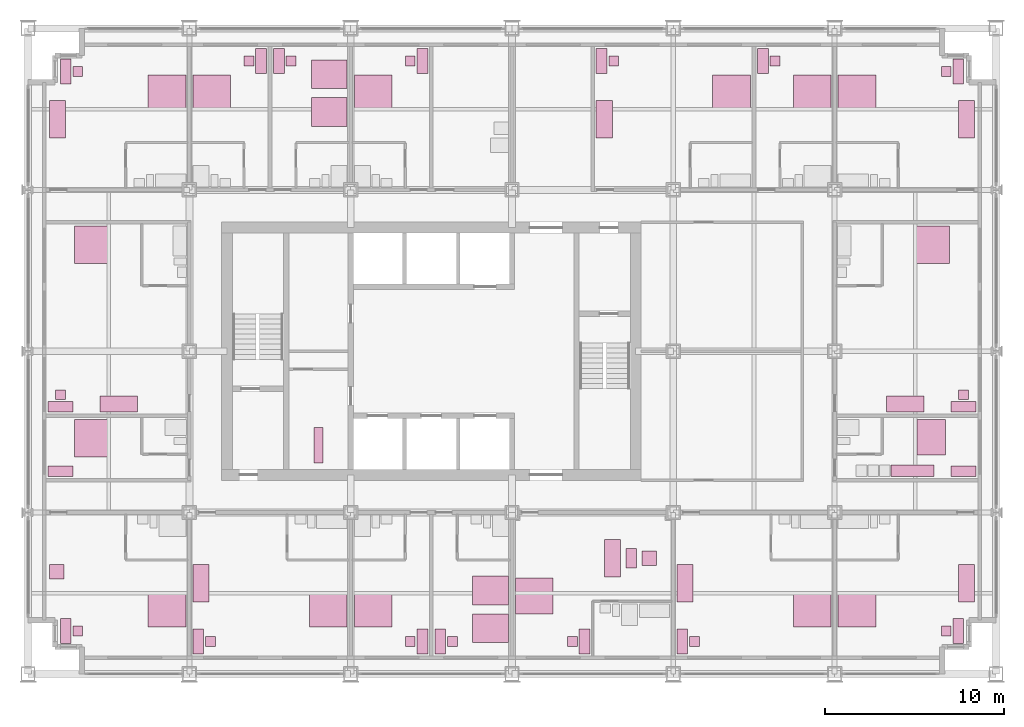
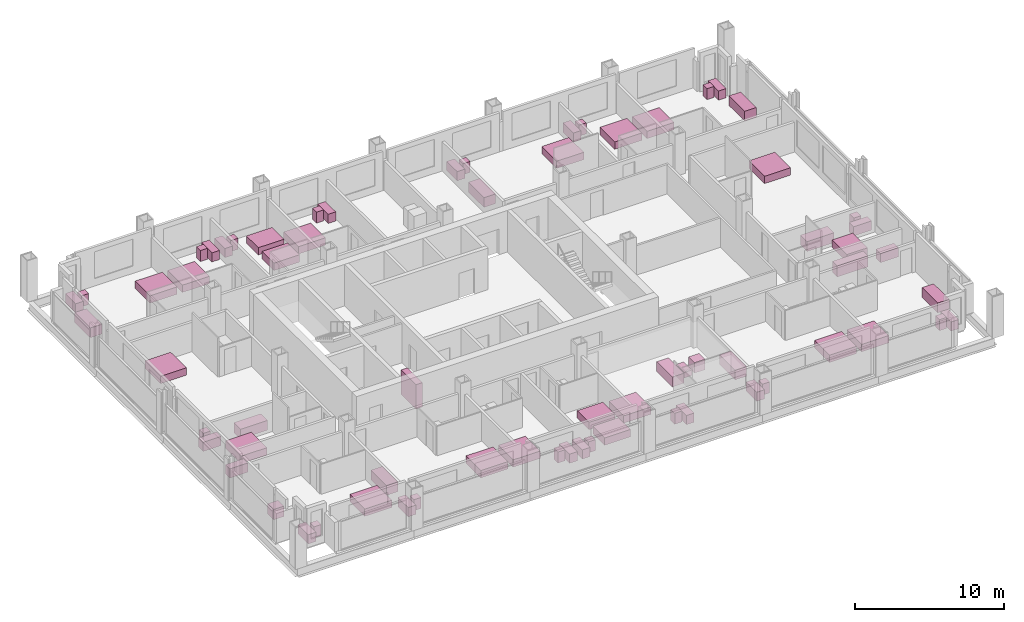
# One storey, part 18 of 18: 68 furniture elements.
"""IFC4 building model written with IfcOpenShell, lengths in metres."""

from ifc_helpers import new_model, si_unit, direction, frame, origin, origin_2d, place, context, subcontext, project, spatial, rectangle, extrude, element, save


model = new_model("IFC4")

# Units and contexts
model_context = context("Model", 3, precision=1e-05, world=origin(), true_north=direction((0.0, 1.0)))
body_context = subcontext(model_context, "Body", "Model", "MODEL_VIEW")
ifc_project = project(units=[si_unit("LENGTHUNIT", "METRE"), si_unit("AREAUNIT", "SQUARE_METRE"), si_unit("VOLUMEUNIT", "CUBIC_METRE"), si_unit("PLANEANGLEUNIT", "RADIAN"), si_unit("MASSUNIT", "GRAM", prefix="KILO")], contexts=[model_context])

# Site, building, storey
site_placement = place(None, origin())
site = spatial("IfcSite", under=ifc_project, at=site_placement, CompositionType="ELEMENT")
building_placement = place(site_placement, origin())
building = spatial("IfcBuilding", under=site, at=building_placement, Name="Loomwork Tower", CompositionType="ELEMENT")
storey_placement = place(building_placement, frame((0.0, 0.0, 62.0)))
storey = spatial("IfcBuildingStorey", under=building, at=storey_placement, Name="L15", CompositionType="ELEMENT", Elevation=62.0)

# Furniture
furniture_1_placement = place(storey_placement, frame((7.75, 3.60009765625, 0.0), z_axis=(0.0, 0.0, 1.0), x_axis=(1.0, 0.0, 0.0)))
element("IfcFurniture", 1, at=furniture_1_placement, inside=storey, Name="King bed L15", PredefinedType="BED", context=body_context, shape_type="SweptSolid", body=[
    extrude(rectangle(XDim=2.10009765625, YDim=2.0, at=origin_2d()), origin(), (0.0, 0.0, 1.0), 0.60009765625),
])
furniture_2_placement = place(storey_placement, frame((2.10009765625, 2.39990234375, 0.0), z_axis=(0.0, 0.0, 1.0), x_axis=(1.0, 0.0, 0.0)))
element("IfcFurniture", 2, at=furniture_2_placement, inside=storey, Name="Writing desk L15", PredefinedType="DESK", context=body_context, shape_type="SweptSolid", body=[
    extrude(rectangle(XDim=0.60009765625, YDim=1.39990234375, at=origin_2d()), origin(), (0.0, 0.0, 1.0), 0.75),
])
furniture_3_placement = place(storey_placement, frame((2.77490234375, 2.39990234375, 0.0), z_axis=(0.0, 0.0, 1.0), x_axis=(1.0, 0.0, 0.0)))
element("IfcFurniture", 3, at=furniture_3_placement, inside=storey, Name="Desk chair L15", PredefinedType="CHAIR", context=body_context, shape_type="SweptSolid", body=[
    extrude(rectangle(XDim=0.550048828125, YDim=0.550048828125, at=origin_2d()), origin(), (0.0, 0.0, 1.0), 0.89990234375),
])
furniture_4_placement = place(storey_placement, frame((1.60009765625, 5.699951171875, 0.0), z_axis=(0.0, 0.0, 1.0), x_axis=(1.0, 0.0, 0.0)))
element("IfcFurniture", 4, at=furniture_4_placement, inside=storey, Name="Lounge armchair L15", PredefinedType="CHAIR", context=body_context, shape_type="SweptSolid", body=[
    extrude(rectangle(XDim=0.800048828125, YDim=0.800048828125, at=origin_2d()), origin(), (0.0, 0.0, 1.0), 0.85009765625),
])
furniture_5_placement = place(storey_placement, frame((16.75, 3.60009765625, 0.0), z_axis=(0.0, 0.0, 1.0), x_axis=(1.0, 0.0, 0.0)))
element("IfcFurniture", 5, at=furniture_5_placement, inside=storey, Name="King bed L15", PredefinedType="BED", context=body_context, shape_type="SweptSolid", body=[
    extrude(rectangle(XDim=2.10009765625, YDim=2.0, at=origin_2d()), origin(), (0.0, 0.0, 1.0), 0.60009765625),
])
furniture_6_placement = place(storey_placement, frame((9.5, 1.800048828125, 0.0), z_axis=(0.0, 0.0, 1.0), x_axis=(1.0, 0.0, 0.0)))
element("IfcFurniture", 6, at=furniture_6_placement, inside=storey, Name="Writing desk L15", PredefinedType="DESK", context=body_context, shape_type="SweptSolid", body=[
    extrude(rectangle(XDim=0.60009765625, YDim=1.39990234375, at=origin_2d()), origin(), (0.0, 0.0, 1.0), 0.75),
])
furniture_7_placement = place(storey_placement, frame((10.175048828125, 1.800048828125, 0.0), z_axis=(0.0, 0.0, 1.0), x_axis=(1.0, 0.0, 0.0)))
element("IfcFurniture", 7, at=furniture_7_placement, inside=storey, Name="Desk chair L15", PredefinedType="CHAIR", context=body_context, shape_type="SweptSolid", body=[
    extrude(rectangle(XDim=0.550048828125, YDim=0.550048828125, at=origin_2d()), origin(), (0.0, 0.0, 1.0), 0.89990234375),
])
furniture_8_placement = place(storey_placement, frame((9.64990234375, 5.050048828125, 0.0), z_axis=(0.0, 0.0, 1.0), x_axis=(1.0, 0.0, 0.0)))
element("IfcFurniture", 8, at=furniture_8_placement, inside=storey, Name="Sofa L15", PredefinedType="SOFA", context=body_context, shape_type="SweptSolid", body=[
    extrude(rectangle(XDim=0.89990234375, YDim=2.10009765625, at=origin_2d()), origin(), (0.0, 0.0, 1.0), 0.800048828125),
])
furniture_9_placement = place(storey_placement, frame((19.25, 3.60009765625, 0.0), z_axis=(0.0, 0.0, 1.0), x_axis=(1.0, 0.0, 0.0)))
element("IfcFurniture", 9, at=furniture_9_placement, inside=storey, Name="King bed L15", PredefinedType="BED", context=body_context, shape_type="SweptSolid", body=[
    extrude(rectangle(XDim=2.10009765625, YDim=2.0, at=origin_2d()), origin(), (0.0, 0.0, 1.0), 0.60009765625),
])
furniture_10_placement = place(storey_placement, frame((22.0, 1.800048828125, 0.0), z_axis=(0.0, 0.0, 1.0), x_axis=(1.0, 0.0, 0.0)))
element("IfcFurniture", 10, at=furniture_10_placement, inside=storey, Name="Writing desk L15", PredefinedType="DESK", context=body_context, shape_type="SweptSolid", body=[
    extrude(rectangle(XDim=0.60009765625, YDim=1.39990234375, at=origin_2d()), origin(), (0.0, 0.0, 1.0), 0.75),
])
furniture_11_placement = place(storey_placement, frame((21.324951171875, 1.800048828125, 0.0), z_axis=(0.0, 0.0, 1.0), x_axis=(1.0, 0.0, 0.0)))
element("IfcFurniture", 11, at=furniture_11_placement, inside=storey, Name="Desk chair L15", PredefinedType="CHAIR", context=body_context, shape_type="SweptSolid", body=[
    extrude(rectangle(XDim=0.550048828125, YDim=0.550048828125, at=origin_2d()), origin(), (0.0, 0.0, 1.0), 0.89990234375),
])
for number, where, z_axis, x_axis, name in (
    (12, (25.800048828125, 4.64990234375, 0.0), (0.0, 0.0, 1.0), (1.0, 0.0, 0.0), "Queen bed L15"),
    (13, (25.800048828125, 2.550048828125, 0.0), (0.0, 0.0, 1.0), (1.0, 0.0, 0.0), "Queen bed L15"),
):
    element("IfcFurniture", number, at=place(storey_placement, frame(where, z_axis=z_axis, x_axis=x_axis)), inside=storey, Name=name, PredefinedType="BED", context=body_context, shape_type="SweptSolid", body=[
        extrude(rectangle(XDim=2.0, YDim=1.60009765625, at=origin_2d()), origin(), (0.0, 0.0, 1.0), 0.60009765625),
    ])
furniture_12_placement = place(storey_placement, frame((23.0, 1.800048828125, 0.0), z_axis=(0.0, 0.0, 1.0), x_axis=(1.0, 0.0, 0.0)))
element("IfcFurniture", 14, at=furniture_12_placement, inside=storey, Name="Writing desk L15", PredefinedType="DESK", context=body_context, shape_type="SweptSolid", body=[
    extrude(rectangle(XDim=0.60009765625, YDim=1.39990234375, at=origin_2d()), origin(), (0.0, 0.0, 1.0), 0.75),
])
furniture_13_placement = place(storey_placement, frame((23.675048828125, 1.800048828125, 0.0), z_axis=(0.0, 0.0, 1.0), x_axis=(1.0, 0.0, 0.0)))
element("IfcFurniture", 15, at=furniture_13_placement, inside=storey, Name="Desk chair L15", PredefinedType="CHAIR", context=body_context, shape_type="SweptSolid", body=[
    extrude(rectangle(XDim=0.550048828125, YDim=0.550048828125, at=origin_2d()), origin(), (0.0, 0.0, 1.0), 0.89990234375),
])
furniture_14_placement = place(storey_placement, frame((28.25, 4.35009765625, 0.0), z_axis=(0.0, 0.0, 1.0), x_axis=(1.0, 0.0, 0.0)))
element("IfcFurniture", 16, at=furniture_14_placement, inside=storey, Name="King bed L15", PredefinedType="BED", context=body_context, shape_type="SweptSolid", body=[
    extrude(rectangle(XDim=2.10009765625, YDim=2.0, at=origin_2d()), origin(), (0.0, 0.0, 1.0), 0.60009765625),
])
furniture_15_placement = place(storey_placement, frame((31.050048828125, 1.800048828125, 0.0), z_axis=(0.0, 0.0, 1.0), x_axis=(1.0, 0.0, 0.0)))
element("IfcFurniture", 17, at=furniture_15_placement, inside=storey, Name="Writing desk L15", PredefinedType="DESK", context=body_context, shape_type="SweptSolid", body=[
    extrude(rectangle(XDim=0.60009765625, YDim=1.39990234375, at=origin_2d()), origin(), (0.0, 0.0, 1.0), 0.75),
])
furniture_16_placement = place(storey_placement, frame((30.375, 1.800048828125, 0.0), z_axis=(0.0, 0.0, 1.0), x_axis=(1.0, 0.0, 0.0)))
element("IfcFurniture", 18, at=furniture_16_placement, inside=storey, Name="Desk chair L15", PredefinedType="CHAIR", context=body_context, shape_type="SweptSolid", body=[
    extrude(rectangle(XDim=0.550048828125, YDim=0.550048828125, at=origin_2d()), origin(), (0.0, 0.0, 1.0), 0.89990234375),
])
furniture_17_placement = place(storey_placement, frame((32.60009765625, 6.449951171875, 0.0), z_axis=(0.0, 0.0, 1.0), x_axis=(1.0, 0.0, 0.0)))
element("IfcFurniture", 19, at=furniture_17_placement, inside=storey, Name="Sofa L15", PredefinedType="SOFA", context=body_context, shape_type="SweptSolid", body=[
    extrude(rectangle(XDim=0.89990234375, YDim=2.10009765625, at=origin_2d()), origin(), (0.0, 0.0, 1.0), 0.800048828125),
])
furniture_18_placement = place(storey_placement, frame((33.64990234375, 6.449951171875, 0.0), z_axis=(0.0, 0.0, 1.0), x_axis=(1.0, 0.0, 0.0)))
element("IfcFurniture", 20, at=furniture_18_placement, inside=storey, Name="Coffee table L15", PredefinedType="TABLE", context=body_context, shape_type="SweptSolid", body=[
    extrude(rectangle(XDim=0.60009765625, YDim=1.10009765625, at=origin_2d()), origin(), (0.0, 0.0, 1.0), 0.449951171875),
])
furniture_19_placement = place(storey_placement, frame((34.64990234375, 6.449951171875, 0.0), z_axis=(0.0, 0.0, 1.0), x_axis=(1.0, 0.0, 0.0)))
element("IfcFurniture", 21, at=furniture_19_placement, inside=storey, Name="Lounge armchair L15", PredefinedType="CHAIR", context=body_context, shape_type="SweptSolid", body=[
    extrude(rectangle(XDim=0.800048828125, YDim=0.800048828125, at=origin_2d()), origin(), (0.0, 0.0, 1.0), 0.85009765625),
])
furniture_20_placement = place(storey_placement, frame((43.75, 3.60009765625, 0.0), z_axis=(0.0, 0.0, 1.0), x_axis=(1.0, 0.0, 0.0)))
element("IfcFurniture", 22, at=furniture_20_placement, inside=storey, Name="King bed L15", PredefinedType="BED", context=body_context, shape_type="SweptSolid", body=[
    extrude(rectangle(XDim=2.10009765625, YDim=2.0, at=origin_2d()), origin(), (0.0, 0.0, 1.0), 0.60009765625),
])
furniture_21_placement = place(storey_placement, frame((36.5, 1.800048828125, 0.0), z_axis=(0.0, 0.0, 1.0), x_axis=(1.0, 0.0, 0.0)))
element("IfcFurniture", 23, at=furniture_21_placement, inside=storey, Name="Writing desk L15", PredefinedType="DESK", context=body_context, shape_type="SweptSolid", body=[
    extrude(rectangle(XDim=0.60009765625, YDim=1.39990234375, at=origin_2d()), origin(), (0.0, 0.0, 1.0), 0.75),
])
furniture_22_placement = place(storey_placement, frame((37.175048828125, 1.800048828125, 0.0), z_axis=(0.0, 0.0, 1.0), x_axis=(1.0, 0.0, 0.0)))
element("IfcFurniture", 24, at=furniture_22_placement, inside=storey, Name="Desk chair L15", PredefinedType="CHAIR", context=body_context, shape_type="SweptSolid", body=[
    extrude(rectangle(XDim=0.550048828125, YDim=0.550048828125, at=origin_2d()), origin(), (0.0, 0.0, 1.0), 0.89990234375),
])
furniture_23_placement = place(storey_placement, frame((36.64990234375, 5.050048828125, 0.0), z_axis=(0.0, 0.0, 1.0), x_axis=(1.0, 0.0, 0.0)))
element("IfcFurniture", 25, at=furniture_23_placement, inside=storey, Name="Sofa L15", PredefinedType="SOFA", context=body_context, shape_type="SweptSolid", body=[
    extrude(rectangle(XDim=0.89990234375, YDim=2.10009765625, at=origin_2d()), origin(), (0.0, 0.0, 1.0), 0.800048828125),
])
furniture_24_placement = place(storey_placement, frame((46.25, 3.60009765625, 0.0), z_axis=(0.0, 0.0, 1.0), x_axis=(1.0, 0.0, 0.0)))
element("IfcFurniture", 26, at=furniture_24_placement, inside=storey, Name="King bed L15", PredefinedType="BED", context=body_context, shape_type="SweptSolid", body=[
    extrude(rectangle(XDim=2.10009765625, YDim=2.0, at=origin_2d()), origin(), (0.0, 0.0, 1.0), 0.60009765625),
])
furniture_25_placement = place(storey_placement, frame((51.89990234375, 2.39990234375, 0.0), z_axis=(0.0, 0.0, 1.0), x_axis=(1.0, 0.0, 0.0)))
element("IfcFurniture", 27, at=furniture_25_placement, inside=storey, Name="Writing desk L15", PredefinedType="DESK", context=body_context, shape_type="SweptSolid", body=[
    extrude(rectangle(XDim=0.60009765625, YDim=1.39990234375, at=origin_2d()), origin(), (0.0, 0.0, 1.0), 0.75),
])
furniture_26_placement = place(storey_placement, frame((51.22509765625, 2.39990234375, 0.0), z_axis=(0.0, 0.0, 1.0), x_axis=(1.0, 0.0, 0.0)))
element("IfcFurniture", 28, at=furniture_26_placement, inside=storey, Name="Desk chair L15", PredefinedType="CHAIR", context=body_context, shape_type="SweptSolid", body=[
    extrude(rectangle(XDim=0.550048828125, YDim=0.550048828125, at=origin_2d()), origin(), (0.0, 0.0, 1.0), 0.89990234375),
])
furniture_27_placement = place(storey_placement, frame((52.35009765625, 5.050048828125, 0.0), z_axis=(0.0, 0.0, 1.0), x_axis=(1.0, 0.0, 0.0)))
element("IfcFurniture", 29, at=furniture_27_placement, inside=storey, Name="Sofa L15", PredefinedType="SOFA", context=body_context, shape_type="SweptSolid", body=[
    extrude(rectangle(XDim=0.89990234375, YDim=2.10009765625, at=origin_2d()), origin(), (0.0, 0.0, 1.0), 0.800048828125),
])
furniture_28_placement = place(storey_placement, frame((7.75, 32.39990234375, 0.0), z_axis=(0.0, 0.0, 1.0), x_axis=(1.0, 0.0, 0.0)))
element("IfcFurniture", 30, at=furniture_28_placement, inside=storey, Name="King bed L15", PredefinedType="BED", context=body_context, shape_type="SweptSolid", body=[
    extrude(rectangle(XDim=2.10009765625, YDim=2.0, at=origin_2d()), origin(), (0.0, 0.0, 1.0), 0.60009765625),
])
furniture_29_placement = place(storey_placement, frame((2.10009765625, 33.60009765625, 0.0), z_axis=(0.0, 0.0, 1.0), x_axis=(1.0, 0.0, 0.0)))
element("IfcFurniture", 31, at=furniture_29_placement, inside=storey, Name="Writing desk L15", PredefinedType="DESK", context=body_context, shape_type="SweptSolid", body=[
    extrude(rectangle(XDim=0.60009765625, YDim=1.39990234375, at=origin_2d()), origin(), (0.0, 0.0, 1.0), 0.75),
])
furniture_30_placement = place(storey_placement, frame((2.77490234375, 33.60009765625, 0.0), z_axis=(0.0, 0.0, 1.0), x_axis=(1.0, 0.0, 0.0)))
element("IfcFurniture", 32, at=furniture_30_placement, inside=storey, Name="Desk chair L15", PredefinedType="CHAIR", context=body_context, shape_type="SweptSolid", body=[
    extrude(rectangle(XDim=0.550048828125, YDim=0.550048828125, at=origin_2d()), origin(), (0.0, 0.0, 1.0), 0.89990234375),
])
furniture_31_placement = place(storey_placement, frame((1.64990234375, 30.949951171875, 0.0), z_axis=(0.0, 0.0, 1.0), x_axis=(1.0, 0.0, 0.0)))
element("IfcFurniture", 33, at=furniture_31_placement, inside=storey, Name="Sofa L15", PredefinedType="SOFA", context=body_context, shape_type="SweptSolid", body=[
    extrude(rectangle(XDim=0.89990234375, YDim=2.10009765625, at=origin_2d()), origin(), (0.0, 0.0, 1.0), 0.800048828125),
])
furniture_32_placement = place(storey_placement, frame((10.25, 32.39990234375, 0.0), z_axis=(0.0, 0.0, 1.0), x_axis=(1.0, 0.0, 0.0)))
element("IfcFurniture", 34, at=furniture_32_placement, inside=storey, Name="King bed L15", PredefinedType="BED", context=body_context, shape_type="SweptSolid", body=[
    extrude(rectangle(XDim=2.10009765625, YDim=2.0, at=origin_2d()), origin(), (0.0, 0.0, 1.0), 0.60009765625),
])
furniture_33_placement = place(storey_placement, frame((13.0, 34.199951171875, 0.0), z_axis=(0.0, 0.0, 1.0), x_axis=(1.0, 0.0, 0.0)))
element("IfcFurniture", 35, at=furniture_33_placement, inside=storey, Name="Writing desk L15", PredefinedType="DESK", context=body_context, shape_type="SweptSolid", body=[
    extrude(rectangle(XDim=0.60009765625, YDim=1.39990234375, at=origin_2d()), origin(), (0.0, 0.0, 1.0), 0.75),
])
furniture_34_placement = place(storey_placement, frame((12.324951171875, 34.199951171875, 0.0), z_axis=(0.0, 0.0, 1.0), x_axis=(1.0, 0.0, 0.0)))
element("IfcFurniture", 36, at=furniture_34_placement, inside=storey, Name="Desk chair L15", PredefinedType="CHAIR", context=body_context, shape_type="SweptSolid", body=[
    extrude(rectangle(XDim=0.550048828125, YDim=0.550048828125, at=origin_2d()), origin(), (0.0, 0.0, 1.0), 0.89990234375),
])
for number, where, z_axis, x_axis, name in (
    (37, (16.800048828125, 31.35009765625, 0.0), (0.0, 0.0, 1.0), (1.0, 0.0, 0.0), "Queen bed L15"),
    (38, (16.800048828125, 33.449951171875, 0.0), (0.0, 0.0, 1.0), (1.0, 0.0, 0.0), "Queen bed L15"),
):
    element("IfcFurniture", number, at=place(storey_placement, frame(where, z_axis=z_axis, x_axis=x_axis)), inside=storey, Name=name, PredefinedType="BED", context=body_context, shape_type="SweptSolid", body=[
        extrude(rectangle(XDim=2.0, YDim=1.60009765625, at=origin_2d()), origin(), (0.0, 0.0, 1.0), 0.60009765625),
    ])
furniture_35_placement = place(storey_placement, frame((14.0, 34.199951171875, 0.0), z_axis=(0.0, 0.0, 1.0), x_axis=(1.0, 0.0, 0.0)))
element("IfcFurniture", 39, at=furniture_35_placement, inside=storey, Name="Writing desk L15", PredefinedType="DESK", context=body_context, shape_type="SweptSolid", body=[
    extrude(rectangle(XDim=0.60009765625, YDim=1.39990234375, at=origin_2d()), origin(), (0.0, 0.0, 1.0), 0.75),
])
furniture_36_placement = place(storey_placement, frame((14.675048828125, 34.199951171875, 0.0), z_axis=(0.0, 0.0, 1.0), x_axis=(1.0, 0.0, 0.0)))
element("IfcFurniture", 40, at=furniture_36_placement, inside=storey, Name="Desk chair L15", PredefinedType="CHAIR", context=body_context, shape_type="SweptSolid", body=[
    extrude(rectangle(XDim=0.550048828125, YDim=0.550048828125, at=origin_2d()), origin(), (0.0, 0.0, 1.0), 0.89990234375),
])
furniture_37_placement = place(storey_placement, frame((19.25, 32.39990234375, 0.0), z_axis=(0.0, 0.0, 1.0), x_axis=(1.0, 0.0, 0.0)))
element("IfcFurniture", 41, at=furniture_37_placement, inside=storey, Name="King bed L15", PredefinedType="BED", context=body_context, shape_type="SweptSolid", body=[
    extrude(rectangle(XDim=2.10009765625, YDim=2.0, at=origin_2d()), origin(), (0.0, 0.0, 1.0), 0.60009765625),
])
furniture_38_placement = place(storey_placement, frame((22.0, 34.199951171875, 0.0), z_axis=(0.0, 0.0, 1.0), x_axis=(1.0, 0.0, 0.0)))
element("IfcFurniture", 42, at=furniture_38_placement, inside=storey, Name="Writing desk L15", PredefinedType="DESK", context=body_context, shape_type="SweptSolid", body=[
    extrude(rectangle(XDim=0.60009765625, YDim=1.39990234375, at=origin_2d()), origin(), (0.0, 0.0, 1.0), 0.75),
])
furniture_39_placement = place(storey_placement, frame((21.324951171875, 34.199951171875, 0.0), z_axis=(0.0, 0.0, 1.0), x_axis=(1.0, 0.0, 0.0)))
element("IfcFurniture", 43, at=furniture_39_placement, inside=storey, Name="Desk chair L15", PredefinedType="CHAIR", context=body_context, shape_type="SweptSolid", body=[
    extrude(rectangle(XDim=0.550048828125, YDim=0.550048828125, at=origin_2d()), origin(), (0.0, 0.0, 1.0), 0.89990234375),
])
furniture_40_placement = place(storey_placement, frame((39.25, 32.39990234375, 0.0), z_axis=(0.0, 0.0, 1.0), x_axis=(1.0, 0.0, 0.0)))
element("IfcFurniture", 44, at=furniture_40_placement, inside=storey, Name="King bed L15", PredefinedType="BED", context=body_context, shape_type="SweptSolid", body=[
    extrude(rectangle(XDim=2.10009765625, YDim=2.0, at=origin_2d()), origin(), (0.0, 0.0, 1.0), 0.60009765625),
])
furniture_41_placement = place(storey_placement, frame((32.0, 34.199951171875, 0.0), z_axis=(0.0, 0.0, 1.0), x_axis=(1.0, 0.0, 0.0)))
element("IfcFurniture", 45, at=furniture_41_placement, inside=storey, Name="Writing desk L15", PredefinedType="DESK", context=body_context, shape_type="SweptSolid", body=[
    extrude(rectangle(XDim=0.60009765625, YDim=1.39990234375, at=origin_2d()), origin(), (0.0, 0.0, 1.0), 0.75),
])
furniture_42_placement = place(storey_placement, frame((32.675048828125, 34.199951171875, 0.0), z_axis=(0.0, 0.0, 1.0), x_axis=(1.0, 0.0, 0.0)))
element("IfcFurniture", 46, at=furniture_42_placement, inside=storey, Name="Desk chair L15", PredefinedType="CHAIR", context=body_context, shape_type="SweptSolid", body=[
    extrude(rectangle(XDim=0.550048828125, YDim=0.550048828125, at=origin_2d()), origin(), (0.0, 0.0, 1.0), 0.89990234375),
])
furniture_43_placement = place(storey_placement, frame((32.14990234375, 30.949951171875, 0.0), z_axis=(0.0, 0.0, 1.0), x_axis=(1.0, 0.0, 0.0)))
element("IfcFurniture", 47, at=furniture_43_placement, inside=storey, Name="Sofa L15", PredefinedType="SOFA", context=body_context, shape_type="SweptSolid", body=[
    extrude(rectangle(XDim=0.89990234375, YDim=2.10009765625, at=origin_2d()), origin(), (0.0, 0.0, 1.0), 0.800048828125),
])
furniture_44_placement = place(storey_placement, frame((43.75, 32.39990234375, 0.0), z_axis=(0.0, 0.0, 1.0), x_axis=(1.0, 0.0, 0.0)))
element("IfcFurniture", 48, at=furniture_44_placement, inside=storey, Name="King bed L15", PredefinedType="BED", context=body_context, shape_type="SweptSolid", body=[
    extrude(rectangle(XDim=2.10009765625, YDim=2.0, at=origin_2d()), origin(), (0.0, 0.0, 1.0), 0.60009765625),
])
furniture_45_placement = place(storey_placement, frame((41.0, 34.199951171875, 0.0), z_axis=(0.0, 0.0, 1.0), x_axis=(1.0, 0.0, 0.0)))
element("IfcFurniture", 49, at=furniture_45_placement, inside=storey, Name="Writing desk L15", PredefinedType="DESK", context=body_context, shape_type="SweptSolid", body=[
    extrude(rectangle(XDim=0.60009765625, YDim=1.39990234375, at=origin_2d()), origin(), (0.0, 0.0, 1.0), 0.75),
])
furniture_46_placement = place(storey_placement, frame((41.675048828125, 34.199951171875, 0.0), z_axis=(0.0, 0.0, 1.0), x_axis=(1.0, 0.0, 0.0)))
element("IfcFurniture", 50, at=furniture_46_placement, inside=storey, Name="Desk chair L15", PredefinedType="CHAIR", context=body_context, shape_type="SweptSolid", body=[
    extrude(rectangle(XDim=0.550048828125, YDim=0.550048828125, at=origin_2d()), origin(), (0.0, 0.0, 1.0), 0.89990234375),
])
furniture_47_placement = place(storey_placement, frame((46.25, 32.39990234375, 0.0), z_axis=(0.0, 0.0, 1.0), x_axis=(1.0, 0.0, 0.0)))
element("IfcFurniture", 51, at=furniture_47_placement, inside=storey, Name="King bed L15", PredefinedType="BED", context=body_context, shape_type="SweptSolid", body=[
    extrude(rectangle(XDim=2.10009765625, YDim=2.0, at=origin_2d()), origin(), (0.0, 0.0, 1.0), 0.60009765625),
])
furniture_48_placement = place(storey_placement, frame((51.89990234375, 33.60009765625, 0.0), z_axis=(0.0, 0.0, 1.0), x_axis=(1.0, 0.0, 0.0)))
element("IfcFurniture", 52, at=furniture_48_placement, inside=storey, Name="Writing desk L15", PredefinedType="DESK", context=body_context, shape_type="SweptSolid", body=[
    extrude(rectangle(XDim=0.60009765625, YDim=1.39990234375, at=origin_2d()), origin(), (0.0, 0.0, 1.0), 0.75),
])
furniture_49_placement = place(storey_placement, frame((51.22509765625, 33.60009765625, 0.0), z_axis=(0.0, 0.0, 1.0), x_axis=(1.0, 0.0, 0.0)))
element("IfcFurniture", 53, at=furniture_49_placement, inside=storey, Name="Desk chair L15", PredefinedType="CHAIR", context=body_context, shape_type="SweptSolid", body=[
    extrude(rectangle(XDim=0.550048828125, YDim=0.550048828125, at=origin_2d()), origin(), (0.0, 0.0, 1.0), 0.89990234375),
])
furniture_50_placement = place(storey_placement, frame((52.35009765625, 30.949951171875, 0.0), z_axis=(0.0, 0.0, 1.0), x_axis=(1.0, 0.0, 0.0)))
element("IfcFurniture", 54, at=furniture_50_placement, inside=storey, Name="Sofa L15", PredefinedType="SOFA", context=body_context, shape_type="SweptSolid", body=[
    extrude(rectangle(XDim=0.89990234375, YDim=2.10009765625, at=origin_2d()), origin(), (0.0, 0.0, 1.0), 0.800048828125),
])
furniture_51_placement = place(storey_placement, frame((3.60009765625, 13.14990234375, 0.0), z_axis=(0.0, 0.0, 1.0), x_axis=(1.0, 0.0, 0.0)))
element("IfcFurniture", 55, at=furniture_51_placement, inside=storey, Name="King bed L15", PredefinedType="BED", context=body_context, shape_type="SweptSolid", body=[
    extrude(rectangle(XDim=2.0, YDim=2.10009765625, at=origin_2d()), origin(), (0.0, 0.0, 1.0), 0.60009765625),
])
furniture_52_placement = place(storey_placement, frame((1.800048828125, 11.300048828125, 0.0), z_axis=(0.0, 0.0, 1.0), x_axis=(1.0, 0.0, 0.0)))
element("IfcFurniture", 56, at=furniture_52_placement, inside=storey, Name="Writing desk L15", PredefinedType="DESK", context=body_context, shape_type="SweptSolid", body=[
    extrude(rectangle(XDim=1.39990234375, YDim=0.60009765625, at=origin_2d()), origin(), (0.0, 0.0, 1.0), 0.75),
])
furniture_53_placement = place(storey_placement, frame((3.60009765625, 23.949951171875, 0.0), z_axis=(0.0, 0.0, 1.0), x_axis=(1.0, 0.0, 0.0)))
element("IfcFurniture", 57, at=furniture_53_placement, inside=storey, Name="King bed L15", PredefinedType="BED", context=body_context, shape_type="SweptSolid", body=[
    extrude(rectangle(XDim=2.0, YDim=2.10009765625, at=origin_2d()), origin(), (0.0, 0.0, 1.0), 0.60009765625),
])
furniture_54_placement = place(storey_placement, frame((1.800048828125, 14.89990234375, 0.0), z_axis=(0.0, 0.0, 1.0), x_axis=(1.0, 0.0, 0.0)))
element("IfcFurniture", 58, at=furniture_54_placement, inside=storey, Name="Writing desk L15", PredefinedType="DESK", context=body_context, shape_type="SweptSolid", body=[
    extrude(rectangle(XDim=1.39990234375, YDim=0.60009765625, at=origin_2d()), origin(), (0.0, 0.0, 1.0), 0.75),
])
furniture_55_placement = place(storey_placement, frame((1.800048828125, 15.574951171875, 0.0), z_axis=(0.0, 0.0, 1.0), x_axis=(1.0, 0.0, 0.0)))
element("IfcFurniture", 59, at=furniture_55_placement, inside=storey, Name="Desk chair L15", PredefinedType="CHAIR", context=body_context, shape_type="SweptSolid", body=[
    extrude(rectangle(XDim=0.550048828125, YDim=0.550048828125, at=origin_2d()), origin(), (0.0, 0.0, 1.0), 0.89990234375),
])
furniture_56_placement = place(storey_placement, frame((5.050048828125, 15.050048828125, 0.0), z_axis=(0.0, 0.0, 1.0), x_axis=(1.0, 0.0, 0.0)))
element("IfcFurniture", 60, at=furniture_56_placement, inside=storey, Name="Sofa L15", PredefinedType="SOFA", context=body_context, shape_type="SweptSolid", body=[
    extrude(rectangle(XDim=2.10009765625, YDim=0.89990234375, at=origin_2d()), origin(), (0.0, 0.0, 1.0), 0.800048828125),
])
furniture_57_placement = place(storey_placement, frame((50.39990234375, 13.199951171875, 0.0), z_axis=(0.0, 0.0, 1.0), x_axis=(1.0, 0.0, 0.0)))
element("IfcFurniture", 61, at=furniture_57_placement, inside=storey, Name="Queen bed L15", PredefinedType="BED", context=body_context, shape_type="SweptSolid", body=[
    extrude(rectangle(XDim=1.60009765625, YDim=2.0, at=origin_2d()), origin(), (0.0, 0.0, 1.0), 0.60009765625),
])
furniture_58_placement = place(storey_placement, frame((52.199951171875, 11.300048828125, 0.0), z_axis=(0.0, 0.0, 1.0), x_axis=(1.0, 0.0, 0.0)))
element("IfcFurniture", 62, at=furniture_58_placement, inside=storey, Name="Writing desk L15", PredefinedType="DESK", context=body_context, shape_type="SweptSolid", body=[
    extrude(rectangle(XDim=1.39990234375, YDim=0.60009765625, at=origin_2d()), origin(), (0.0, 0.0, 1.0), 0.75),
])
furniture_59_placement = place(storey_placement, frame((49.35009765625, 11.324951171875, 0.0), z_axis=(0.0, 0.0, 1.0), x_axis=(1.0, 0.0, 0.0)))
element("IfcFurniture", 63, at=furniture_59_placement, inside=storey, Name="Kitchenette counter L15", ObjectType="KITCHENETTE", PredefinedType="USERDEFINED", context=body_context, shape_type="SweptSolid", body=[
    extrude(rectangle(XDim=2.39990234375, YDim=0.64990234375, at=origin_2d()), origin(), (0.0, 0.0, 1.0), 0.89990234375),
])
furniture_60_placement = place(storey_placement, frame((50.39990234375, 23.949951171875, 0.0), z_axis=(0.0, 0.0, 1.0), x_axis=(1.0, 0.0, 0.0)))
element("IfcFurniture", 64, at=furniture_60_placement, inside=storey, Name="King bed L15", PredefinedType="BED", context=body_context, shape_type="SweptSolid", body=[
    extrude(rectangle(XDim=2.0, YDim=2.10009765625, at=origin_2d()), origin(), (0.0, 0.0, 1.0), 0.60009765625),
])
furniture_61_placement = place(storey_placement, frame((52.199951171875, 14.89990234375, 0.0), z_axis=(0.0, 0.0, 1.0), x_axis=(1.0, 0.0, 0.0)))
element("IfcFurniture", 65, at=furniture_61_placement, inside=storey, Name="Writing desk L15", PredefinedType="DESK", context=body_context, shape_type="SweptSolid", body=[
    extrude(rectangle(XDim=1.39990234375, YDim=0.60009765625, at=origin_2d()), origin(), (0.0, 0.0, 1.0), 0.75),
])
furniture_62_placement = place(storey_placement, frame((52.199951171875, 15.574951171875, 0.0), z_axis=(0.0, 0.0, 1.0), x_axis=(1.0, 0.0, 0.0)))
element("IfcFurniture", 66, at=furniture_62_placement, inside=storey, Name="Desk chair L15", PredefinedType="CHAIR", context=body_context, shape_type="SweptSolid", body=[
    extrude(rectangle(XDim=0.550048828125, YDim=0.550048828125, at=origin_2d()), origin(), (0.0, 0.0, 1.0), 0.89990234375),
])
furniture_63_placement = place(storey_placement, frame((48.949951171875, 15.050048828125, 0.0), z_axis=(0.0, 0.0, 1.0), x_axis=(1.0, 0.0, 0.0)))
element("IfcFurniture", 67, at=furniture_63_placement, inside=storey, Name="Sofa L15", PredefinedType="SOFA", context=body_context, shape_type="SweptSolid", body=[
    extrude(rectangle(XDim=2.10009765625, YDim=0.89990234375, at=origin_2d()), origin(), (0.0, 0.0, 1.0), 0.800048828125),
])
furniture_64_placement = place(storey_placement, frame((16.199951171875, 12.75, 0.0), z_axis=(0.0, 0.0, 1.0), x_axis=(1.0, 0.0, 0.0)))
element("IfcFurniture", 68, at=furniture_64_placement, inside=storey, Name="Linen shelving L15", PredefinedType="SHELF", context=body_context, shape_type="SweptSolid", body=[
    extrude(rectangle(XDim=0.5, YDim=2.0, at=origin_2d()), origin(), (0.0, 0.0, 1.0), 2.0),
])

save(model, "model.ifc")
